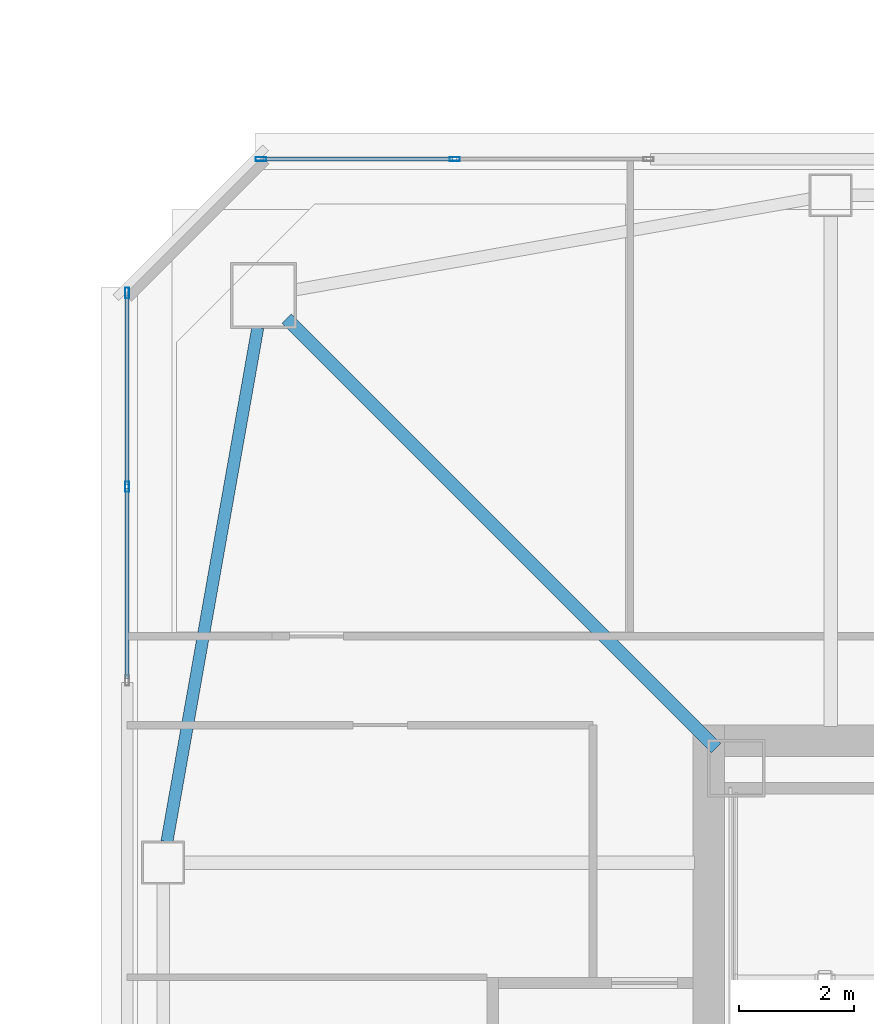
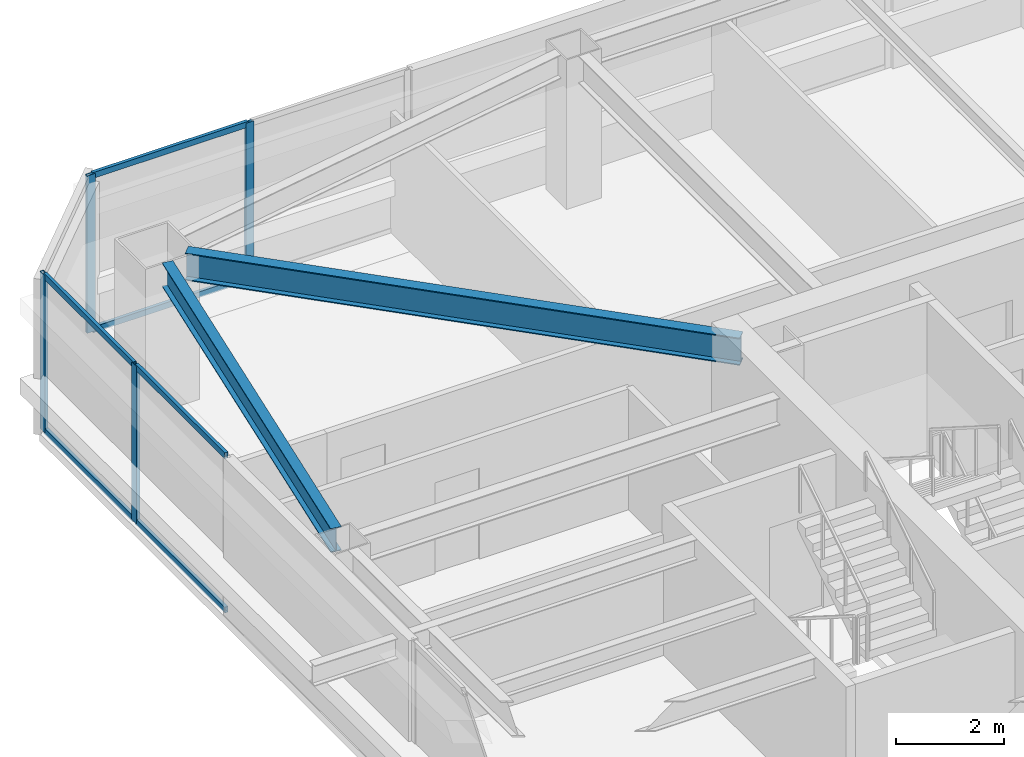
# One storey, part 13 of 44: 10 members, 2 beams, 2 elements without a shape of their own.
"""IFC4 building model written with IfcOpenShell, lengths in metres."""

from ifc_helpers import new_model, si_unit, direction, frame, origin, origin_2d, place, context, subcontext, project, spatial, hollow_rectangle, i_section, extrude, material, material_profile, profile_set, type_object, element, aggregate, save


model = new_model("IFC4")

# Units and contexts
model_context = context("Model", 3, precision=1e-05, world=origin(), true_north=direction((0.0, 1.0)))
body_context = subcontext(model_context, "Body", "Model", "MODEL_VIEW")
ifc_project = project(units=[si_unit("LENGTHUNIT", "METRE"), si_unit("AREAUNIT", "SQUARE_METRE"), si_unit("VOLUMEUNIT", "CUBIC_METRE"), si_unit("PLANEANGLEUNIT", "RADIAN"), si_unit("MASSUNIT", "GRAM", prefix="KILO")], contexts=[model_context])

# Site, building, storey
site_placement = place(None, origin())
site = spatial("IfcSite", under=ifc_project, at=site_placement, CompositionType="ELEMENT")
building_placement = place(site_placement, origin())
building = spatial("IfcBuilding", under=site, at=building_placement, Name="Tashvorn Skyway Center", CompositionType="ELEMENT")
storey_placement = place(building_placement, frame((0.0, 0.0, 181.85009765625)))
storey = spatial("IfcBuildingStorey", under=building, at=storey_placement, Name="L49", CompositionType="ELEMENT", Elevation=181.85009765625)

# Beams
ifc_material_1 = material(Name="Steel ASTM A992 Grade 50", Category="steel")
ifc_material_profile_1 = material_profile(ifc_material_1, i_section(OverallWidth=0.22998046875, OverallDepth=0.616943359375, WebThickness=0.01318359375, FlangeThickness=0.022216796875, at=origin_2d()), Name="W24X94")
ifc_profile_set_1 = profile_set([ifc_material_profile_1], Name="Steel ASTM A992 Grade 50")
beam_type_1 = type_object("IfcBeamType", Name="BM-BEAM-W24X94", PredefinedType="BEAM", material=ifc_profile_set_1)
beam_1_placement = place(storey_placement, frame((27.10302734375, 46.89697265625, 3.0615234375), z_axis=(0.707106781187, -0.707106781187, 0.0), x_axis=(0.707106781187, 0.707106781187, 0.0)))
element("IfcBeam", 1, at=beam_1_placement, inside=storey, type_object=beam_type_1, Name="Tower 1 L49 Primary Floor Girder MC-NW", PredefinedType="BEAM", context=body_context, shape_type="SweptSolid", body=[
    extrude(i_section(OverallWidth=0.22998046875, OverallDepth=0.616943359375, WebThickness=0.01318359375, FlangeThickness=0.022216796875, at=origin_2d()), origin(), (0.0, 0.0, 1.0), 10.6025390625),
])
ifc_material_profile_2 = material_profile(ifc_material_1, i_section(OverallWidth=0.2109375, OverallDepth=0.5390625, WebThickness=0.01171875, FlangeThickness=0.018798828125, at=origin_2d()), Name="W21X73")
ifc_profile_set_2 = profile_set([ifc_material_profile_2], Name="Steel ASTM A992 Grade 50")
beam_type_2 = type_object("IfcBeamType", Name="BM-SPANDREL-W21X73", PredefinedType="SPANDREL", material=ifc_profile_set_2)
beam_2_placement = place(storey_placement, frame((26.600830078125, 46.73876953125, 3.100341796875), z_axis=(-0.174074160933, -0.984732545667, 0.0), x_axis=(0.984732545667, -0.174074160933, 0.0)))
element("IfcBeam", 2, at=beam_2_placement, inside=storey, type_object=beam_type_2, Name="Tower 1 L49 Spandrel Beam 10", PredefinedType="SPANDREL", context=body_context, shape_type="SweptSolid", body=[
    extrude(i_section(OverallWidth=0.2109375, OverallDepth=0.5390625, WebThickness=0.01171875, FlangeThickness=0.018798828125, at=origin_2d()), origin(), (0.0, 0.0, 1.0), 9.113525390625),
])

# Curtain wall, members
ifc_material_2 = material(Name="Thermally broken bronze-anodized aluminium 6063-T6", Category="aluminium")
curtain_wall_type = type_object("IfcCurtainWallType", Name="CW-CW-Z4", PredefinedType="NOTDEFINED", material=ifc_material_2)
curtain_wall_1_placement = place(storey_placement, origin())
curtain_wall_1 = element("IfcCurtainWall", 3, at=curtain_wall_1_placement, inside=storey, type_object=curtain_wall_type, Name="Tower 1 L49 West Unitised Curtain Wall Glazing Group 3", PredefinedType="NOTDEFINED")
ifc_material_profile_3 = material_profile(ifc_material_2, hollow_rectangle(XDim=0.070068359375, YDim=0.179931640625, WallThickness=0.00390625, at=origin_2d()), Name="ALU-MULL-70x180")
ifc_profile_set_3 = profile_set([ifc_material_profile_3], Name="Thermally broken bronze-anodized aluminium 6063-T6")
member_type_1 = type_object("IfcMemberType", Name="CWM-CW-Z4", PredefinedType="MULLION", material=ifc_profile_set_3)
member_1_placement = place(storey_placement, frame((24.320068359375, 43.962158203125, 0.0), z_axis=(0.0, 0.0, 1.0), x_axis=(-1.0, 0.0, 0.0)))
member_1 = element("IfcMember", 4, at=member_1_placement, type_object=member_type_1, Name="CW-Z4 mullion 2", PredefinedType="MULLION", context=body_context, shape_type="SweptSolid", body=[
    extrude(hollow_rectangle(XDim=0.070068359375, YDim=0.179931640625, WallThickness=0.00390625, at=origin_2d()), origin(), (0.0, 0.0, 1.0), 3.5498046875),
])
member_2_placement = place(storey_placement, frame((24.320068359375, 47.344970703125, 0.0), z_axis=(0.0, 0.0, 1.0), x_axis=(-1.0, 0.0, 0.0)))
member_2 = element("IfcMember", 5, at=member_2_placement, type_object=member_type_1, Name="CW-Z4 mullion 3", PredefinedType="MULLION", context=body_context, shape_type="SweptSolid", body=[
    extrude(hollow_rectangle(XDim=0.070068359375, YDim=0.179931640625, WallThickness=0.00390625, at=origin_2d()), origin(), (0.0, 0.0, 1.0), 3.5498046875),
])

curtain_wall_2_placement = place(storey_placement, origin())
curtain_wall_2 = element("IfcCurtainWall", 6, at=curtain_wall_2_placement, inside=storey, type_object=curtain_wall_type, Name="Tower 1 L49 North Unitised Curtain Wall Glazing Group 1", PredefinedType="NOTDEFINED")
member_3_placement = place(storey_placement, frame((26.655029296875, 49.679931640625, 0.0), z_axis=(0.0, 0.0, 1.0), x_axis=(0.0, 1.0, 0.0)))
member_3 = element("IfcMember", 7, at=member_3_placement, type_object=member_type_1, Name="CW-Z4 mullion 1", PredefinedType="MULLION", context=body_context, shape_type="SweptSolid", body=[
    extrude(hollow_rectangle(XDim=0.070068359375, YDim=0.179931640625, WallThickness=0.00390625, at=origin_2d()), origin(), (0.0, 0.0, 1.0), 3.5498046875),
])
member_4_placement = place(storey_placement, frame((30.037841796875, 49.679931640625, 0.0), z_axis=(0.0, 0.0, 1.0), x_axis=(0.0, 1.0, 0.0)))
member_4 = element("IfcMember", 8, at=member_4_placement, type_object=member_type_1, Name="CW-Z4 mullion 2", PredefinedType="MULLION", context=body_context, shape_type="SweptSolid", body=[
    extrude(hollow_rectangle(XDim=0.070068359375, YDim=0.179931640625, WallThickness=0.00390625, at=origin_2d()), origin(), (0.0, 0.0, 1.0), 3.5498046875),
])

# Member
ifc_material_profile_4 = material_profile(ifc_material_2, hollow_rectangle(XDim=0.070068359375, YDim=0.1298828125, WallThickness=0.00390625, at=origin_2d()), Name="ALU-TRAN-70x130")
ifc_profile_set_4 = profile_set([ifc_material_profile_4], Name="Thermally broken bronze-anodized aluminium 6063-T6")
member_type_2 = type_object("IfcMemberType", Name="CWT-CW-Z4", PredefinedType="USERDEFINED", material=ifc_profile_set_4)
member_5_placement = place(storey_placement, frame((24.320068359375, 40.614501953125, 0.034912109375), z_axis=(0.0, 1.0, 0.0), x_axis=(-1.0, 0.0, 0.0)))
member_5 = element("IfcMember", 9, at=member_5_placement, type_object=member_type_2, Name="CW-Z4 transom 1.1", ObjectType="TRANSOM", PredefinedType="USERDEFINED", context=body_context, shape_type="SweptSolid", body=[
    extrude(hollow_rectangle(XDim=0.070068359375, YDim=0.1298828125, WallThickness=0.00390625, at=origin_2d()), origin(), (0.0, 0.0, 1.0), 3.312744140625),
])

member_6_placement = place(storey_placement, frame((24.320068359375, 40.614501953125, 3.514892578125), z_axis=(0.0, 1.0, 0.0), x_axis=(-1.0, 0.0, 0.0)))
member_6 = element("IfcMember", 10, at=member_6_placement, type_object=member_type_2, Name="CW-Z4 transom 1.2", ObjectType="TRANSOM", PredefinedType="USERDEFINED", context=body_context, shape_type="SweptSolid", body=[
    extrude(hollow_rectangle(XDim=0.070068359375, YDim=0.1298828125, WallThickness=0.00390625, at=origin_2d()), origin(), (0.0, 0.0, 1.0), 3.312744140625),
])

member_7_placement = place(storey_placement, frame((24.320068359375, 43.997314453125, 0.034912109375), z_axis=(0.0, 1.0, 0.0), x_axis=(-1.0, 0.0, 0.0)))
member_7 = element("IfcMember", 11, at=member_7_placement, type_object=member_type_2, Name="CW-Z4 transom 2.1", ObjectType="TRANSOM", PredefinedType="USERDEFINED", context=body_context, shape_type="SweptSolid", body=[
    extrude(hollow_rectangle(XDim=0.070068359375, YDim=0.1298828125, WallThickness=0.00390625, at=origin_2d()), origin(), (0.0, 0.0, 1.0), 3.312744140625),
])

member_8_placement = place(storey_placement, frame((24.320068359375, 43.997314453125, 3.514892578125), z_axis=(0.0, 1.0, 0.0), x_axis=(-1.0, 0.0, 0.0)))
member_8 = element("IfcMember", 12, at=member_8_placement, type_object=member_type_2, Name="CW-Z4 transom 2.2", ObjectType="TRANSOM", PredefinedType="USERDEFINED", context=body_context, shape_type="SweptSolid", body=[
    extrude(hollow_rectangle(XDim=0.070068359375, YDim=0.1298828125, WallThickness=0.00390625, at=origin_2d()), origin(), (0.0, 0.0, 1.0), 3.312744140625),
])

aggregate(curtain_wall_1, [member_1, member_2, member_5, member_6, member_7, member_8])

member_9_placement = place(storey_placement, frame((26.68994140625, 49.679931640625, 0.034912109375), z_axis=(1.0, 0.0, 0.0), x_axis=(0.0, 1.0, 0.0)))
member_9 = element("IfcMember", 13, at=member_9_placement, type_object=member_type_2, Name="CW-Z4 transom 1.1", ObjectType="TRANSOM", PredefinedType="USERDEFINED", context=body_context, shape_type="SweptSolid", body=[
    extrude(hollow_rectangle(XDim=0.070068359375, YDim=0.1298828125, WallThickness=0.00390625, at=origin_2d()), origin(), (0.0, 0.0, 1.0), 3.312744140625),
])

member_10_placement = place(storey_placement, frame((26.68994140625, 49.679931640625, 3.514892578125), z_axis=(1.0, 0.0, 0.0), x_axis=(0.0, 1.0, 0.0)))
member_10 = element("IfcMember", 14, at=member_10_placement, type_object=member_type_2, Name="CW-Z4 transom 1.2", ObjectType="TRANSOM", PredefinedType="USERDEFINED", context=body_context, shape_type="SweptSolid", body=[
    extrude(hollow_rectangle(XDim=0.070068359375, YDim=0.1298828125, WallThickness=0.00390625, at=origin_2d()), origin(), (0.0, 0.0, 1.0), 3.312744140625),
])

aggregate(curtain_wall_2, [member_3, member_4, member_9, member_10])

save(model, "model.ifc")
